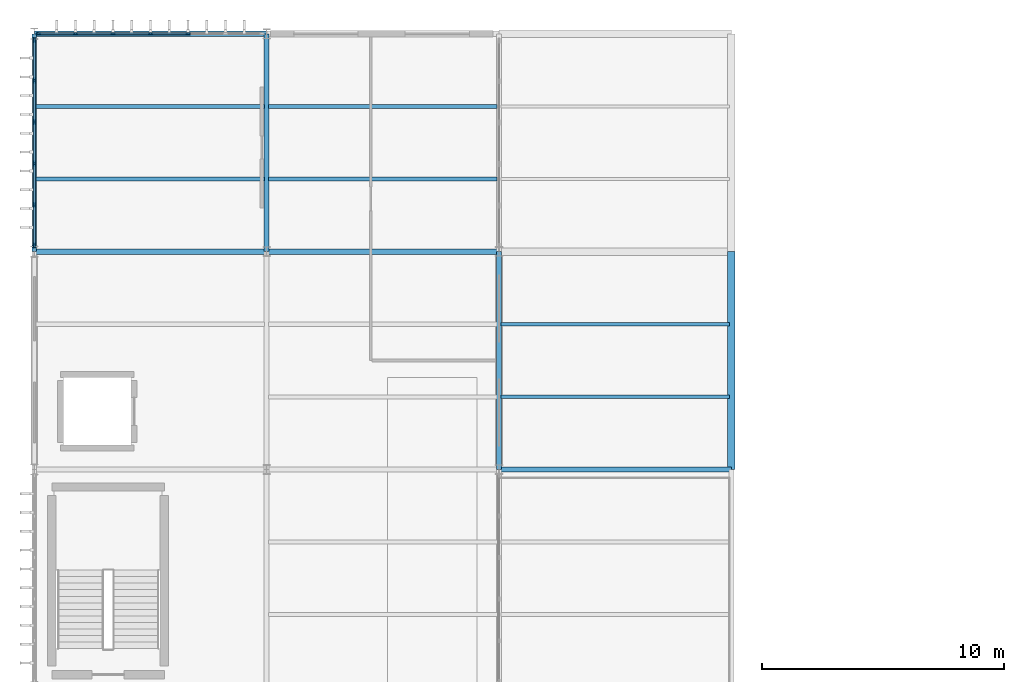
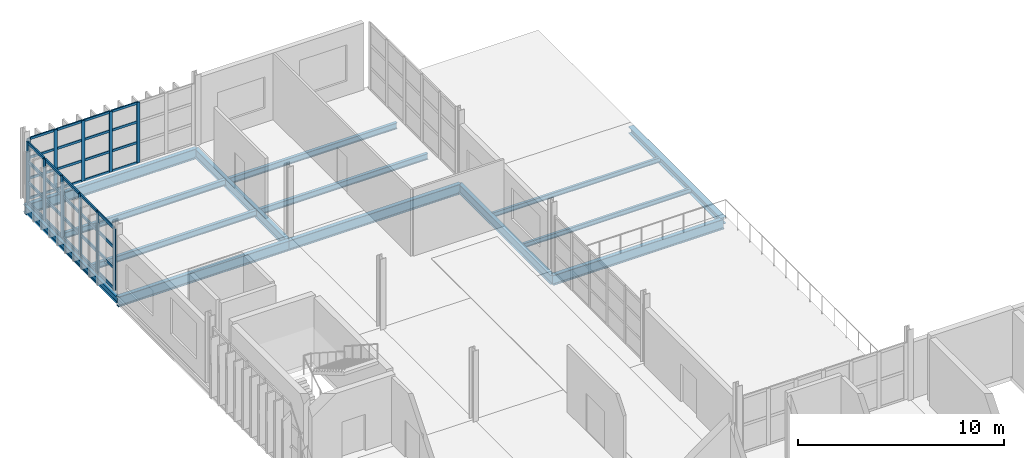
# One storey, part 12 of 38: 47 members, 14 beams, 2 elements without a shape of their own.
"""IFC4 building model written with IfcOpenShell, lengths in metres."""

from ifc_helpers import new_model, si_unit, direction, frame, origin, origin_2d, place, context, subcontext, project, spatial, rectangle, i_section, extrude, material, layer, layer_set, material_profile, profile_set, type_object, element, aggregate, save


model = new_model("IFC4")

# Units and contexts
model_context = context("Model", 3, precision=1e-05, world=origin(), true_north=direction((0.0, 1.0)))
body_context = subcontext(model_context, "Body", "Model", "MODEL_VIEW")
ifc_project = project(units=[si_unit("LENGTHUNIT", "METRE"), si_unit("AREAUNIT", "SQUARE_METRE"), si_unit("VOLUMEUNIT", "CUBIC_METRE"), si_unit("PLANEANGLEUNIT", "RADIAN"), si_unit("MASSUNIT", "GRAM", prefix="KILO")], contexts=[model_context])

# Site, building, storey
site_placement = place(None, origin())
site = spatial("IfcSite", under=ifc_project, at=site_placement, CompositionType="ELEMENT")
building_placement = place(site_placement, origin())
building = spatial("IfcBuilding", under=site, at=building_placement, Name="Zarnetskaya Central Station", CompositionType="ELEMENT")
storey_placement = place(building_placement, frame((0.0, 0.0, 18.60009765625)))
storey = spatial("IfcBuildingStorey", under=building, at=storey_placement, Name="L04", CompositionType="ELEMENT", Elevation=18.60009765625)

# Beams
ifc_material_1 = material(Name="Steel S355", Category="steel")
ifc_material_profile_1 = material_profile(ifc_material_1, i_section(OverallWidth=0.135009765625, OverallDepth=0.27001953125, WebThickness=0.006591796875, FlangeThickness=0.01025390625, FilletRadius=0.014892578125, at=origin_2d()), Name="IPE 270")
ifc_profile_set_1 = profile_set([ifc_material_profile_1], Name="Steel S355")
beam_type_1 = type_object("IfcBeamType", Name="BM-JST-270", PredefinedType="JOIST", material=ifc_profile_set_1)
for number, where, z_axis, x_axis, name in (
    (1, (19.280029296875, 43.199951171875, -0.34521484375), (1.0, 0.0, 0.0), (0.0, 1.0, 0.0), "Secondary floor beam SEC-L04-Z1839-CD-67-1"),
    (2, (19.280029296875, 46.199951171875, -0.34521484375), (1.0, 0.0, 0.0), (0.0, 1.0, 0.0), "Secondary floor beam SEC-L04-Z1839-CD-67-2"),
):
    element("IfcBeam", number, at=place(storey_placement, frame(where, z_axis=z_axis, x_axis=x_axis)), inside=storey, type_object=beam_type_1, Name=name, PredefinedType="JOIST", context=body_context, shape_type="SweptSolid", body=[
        extrude(i_section(OverallWidth=0.135009765625, OverallDepth=0.27001953125, WebThickness=0.006591796875, FlangeThickness=0.01025390625, FilletRadius=0.014892578125, at=origin_2d()), origin(), (0.0, 0.0, 1.0), 9.43994140625),
    ])
ifc_material_profile_2 = material_profile(ifc_material_1, i_section(OverallWidth=0.169921875, OverallDepth=0.360107421875, WebThickness=0.008056640625, FlangeThickness=0.0126953125, FilletRadius=0.01806640625, at=origin_2d()), Name="IPE 360")
ifc_profile_set_2 = profile_set([ifc_material_profile_2], Name="Steel S355")
beam_type_2 = type_object("IfcBeamType", Name="BM-SEC-360", PredefinedType="BEAM", material=ifc_profile_set_2)
for number, where, z_axis, x_axis, name in (
    (3, (0.080078125, 52.199951171875, -0.420166015625), (1.0, 0.0, 0.0), (0.0, 1.0, 0.0), "Secondary floor beam SEC-L04-Z1836-AB-78-1"),
    (4, (0.080078125, 55.199951171875, -0.420166015625), (1.0, 0.0, 0.0), (0.0, 1.0, 0.0), "Secondary floor beam SEC-L04-Z1836-AB-78-2"),
):
    element("IfcBeam", number, at=place(storey_placement, frame(where, z_axis=z_axis, x_axis=x_axis)), inside=storey, type_object=beam_type_2, Name=name, PredefinedType="BEAM", context=body_context, shape_type="SweptSolid", body=[
        extrude(i_section(OverallWidth=0.169921875, OverallDepth=0.360107421875, WebThickness=0.008056640625, FlangeThickness=0.0126953125, FilletRadius=0.01806640625, at=origin_2d()), origin(), (0.0, 0.0, 1.0), 9.43994140625),
    ])
for number, where, z_axis, x_axis, name in (
    (5, (9.679931640625, 52.199951171875, -0.420166015625), (1.0, 0.0, 0.0), (0.0, 1.0, 0.0), "Secondary floor beam SEC-L04-Z1836-BC-78-1"),
    (6, (9.679931640625, 55.199951171875, -0.420166015625), (1.0, 0.0, 0.0), (0.0, 1.0, 0.0), "Secondary floor beam SEC-L04-Z1836-BC-78-2"),
):
    element("IfcBeam", number, at=place(storey_placement, frame(where, z_axis=z_axis, x_axis=x_axis)), inside=storey, type_object=beam_type_2, Name=name, PredefinedType="BEAM", context=body_context, shape_type="SweptSolid", body=[
        extrude(i_section(OverallWidth=0.169921875, OverallDepth=0.360107421875, WebThickness=0.008056640625, FlangeThickness=0.0126953125, FilletRadius=0.01806640625, at=origin_2d()), origin(), (0.0, 0.0, 1.0), 9.440185546875),
    ])
ifc_material_profile_3 = material_profile(ifc_material_1, i_section(OverallWidth=0.179931640625, OverallDepth=0.39990234375, WebThickness=0.008544921875, FlangeThickness=0.013427734375, FilletRadius=0.02099609375, at=origin_2d()), Name="IPE 400")
ifc_profile_set_3 = profile_set([ifc_material_profile_3], Name="Steel S355")
beam_type_3 = type_object("IfcBeamType", Name="BM-SPN-V5", PredefinedType="SPANDREL", material=ifc_profile_set_3)
beam_1_placement = place(storey_placement, frame((0.0, 49.199951171875, -0.440185546875), z_axis=(0.0, 1.0, 0.0), x_axis=(-1.0, 0.0, 0.0)))
element("IfcBeam", 7, at=beam_1_placement, inside=storey, type_object=beam_type_3, Name="Grid girder GY-L04-A-78", PredefinedType="SPANDREL", context=body_context, shape_type="SweptSolid", body=[
    extrude(i_section(OverallWidth=0.179931640625, OverallDepth=0.39990234375, WebThickness=0.008544921875, FlangeThickness=0.013427734375, FilletRadius=0.02099609375, at=origin_2d()), origin(), (0.0, 0.0, 1.0), 9.0),
])

# Curtain wall, members
ifc_material_2 = material(Name="Low-E insulated glass", Category="glass")
ifc_layer_1 = layer(ifc_material_2, 0.159912109375, Name="Low-E insulated glass", Category="glass")
ifc_layer_set_1 = layer_set([ifc_layer_1], Name="Low-E insulated glass")
curtain_wall_type_1 = type_object("IfcCurtainWallType", Name="CW-SYS-06", PredefinedType="USERDEFINED", material=ifc_layer_set_1)
curtain_wall_1_placement = place(storey_placement, origin())
curtain_wall_1 = element("IfcCurtainWall", 8, at=curtain_wall_1_placement, inside=storey, type_object=curtain_wall_type_1, Name="Curtain wall CW-L04-051", ObjectType="CURTAIN WALL", PredefinedType="USERDEFINED")
ifc_material_3 = material(Name="Anodised aluminium", Category="aluminium")
ifc_material_profile_4 = material_profile(ifc_material_3, rectangle(XDim=0.070068359375, YDim=0.179931640625, at=origin_2d()), Name="ALU MULL 70x180")
ifc_profile_set_4 = profile_set([ifc_material_profile_4], Name="Anodised aluminium")
member_type_1 = type_object("IfcMemberType", Name="CW-MULL-180", PredefinedType="MULLION", material=ifc_profile_set_4)
member_1_placement = place(storey_placement, frame((0.18505859375, 58.199951171875, 0.0), z_axis=(0.0, 0.0, 1.0), x_axis=(0.0, 1.0, 0.0)))
member_1 = element("IfcMember", 9, at=member_1_placement, type_object=member_type_1, Name="CW-02 mullion 1", PredefinedType="MULLION", context=body_context, shape_type="SweptSolid", body=[
    extrude(rectangle(XDim=0.070068359375, YDim=0.179931640625, at=origin_2d()), origin(), (0.0, 0.0, 1.0), 3.599853515625),
])
member_2_placement = place(storey_placement, frame((1.699951171875, 58.199951171875, 0.0), z_axis=(0.0, 0.0, 1.0), x_axis=(0.0, 1.0, 0.0)))
member_2 = element("IfcMember", 10, at=member_2_placement, type_object=member_type_1, Name="CW-02 mullion 2", PredefinedType="MULLION", context=body_context, shape_type="SweptSolid", body=[
    extrude(rectangle(XDim=0.070068359375, YDim=0.179931640625, at=origin_2d()), origin(), (0.0, 0.0, 1.0), 3.599853515625),
])
member_3_placement = place(storey_placement, frame((3.25, 58.199951171875, 0.0), z_axis=(0.0, 0.0, 1.0), x_axis=(0.0, 1.0, 0.0)))
member_3 = element("IfcMember", 11, at=member_3_placement, type_object=member_type_1, Name="CW-02 mullion 3", PredefinedType="MULLION", context=body_context, shape_type="SweptSolid", body=[
    extrude(rectangle(XDim=0.070068359375, YDim=0.179931640625, at=origin_2d()), origin(), (0.0, 0.0, 1.0), 3.599853515625),
])
member_4_placement = place(storey_placement, frame((4.800048828125, 58.199951171875, 0.0), z_axis=(0.0, 0.0, 1.0), x_axis=(0.0, 1.0, 0.0)))
member_4 = element("IfcMember", 12, at=member_4_placement, type_object=member_type_1, Name="CW-02 mullion 4", PredefinedType="MULLION", context=body_context, shape_type="SweptSolid", body=[
    extrude(rectangle(XDim=0.070068359375, YDim=0.179931640625, at=origin_2d()), origin(), (0.0, 0.0, 1.0), 3.599853515625),
])
member_5_placement = place(storey_placement, frame((6.35009765625, 58.199951171875, 0.0), z_axis=(0.0, 0.0, 1.0), x_axis=(0.0, 1.0, 0.0)))
member_5 = element("IfcMember", 13, at=member_5_placement, type_object=member_type_1, Name="CW-02 mullion 5", PredefinedType="MULLION", context=body_context, shape_type="SweptSolid", body=[
    extrude(rectangle(XDim=0.070068359375, YDim=0.179931640625, at=origin_2d()), origin(), (0.0, 0.0, 1.0), 3.599853515625),
])

ifc_layer_2 = layer(ifc_material_2, 0.1640625, Name="Low-E insulated glass", Category="glass")
ifc_layer_set_2 = layer_set([ifc_layer_2], Name="Low-E insulated glass")
curtain_wall_type_2 = type_object("IfcCurtainWallType", Name="CW-SYS-12", PredefinedType="USERDEFINED", material=ifc_layer_set_2)
curtain_wall_2_placement = place(storey_placement, origin())
curtain_wall_2 = element("IfcCurtainWall", 14, at=curtain_wall_2_placement, inside=storey, type_object=curtain_wall_type_2, Name="Curtain wall CW-L04-050", ObjectType="CURTAIN WALL", PredefinedType="USERDEFINED")
ifc_material_profile_5 = material_profile(ifc_material_3, rectangle(XDim=0.080078125, YDim=0.219970703125, at=origin_2d()), Name="ALU MULL 80x220")
ifc_profile_set_5 = profile_set([ifc_material_profile_5], Name="Anodised aluminium")
member_type_2 = type_object("IfcMemberType", Name="CW-MULL-220", PredefinedType="MULLION", material=ifc_profile_set_5)
member_6_placement = place(storey_placement, frame((0.0, 49.465087890625, 0.0), z_axis=(0.0, 0.0, 1.0), x_axis=(-1.0, 0.0, 0.0)))
member_6 = element("IfcMember", 15, at=member_6_placement, type_object=member_type_2, Name="CW-18 mullion 1", PredefinedType="MULLION", context=body_context, shape_type="SweptSolid", body=[
    extrude(rectangle(XDim=0.080078125, YDim=0.219970703125, at=origin_2d()), origin(), (0.0, 0.0, 1.0), 3.639892578125),
])
member_7_placement = place(storey_placement, frame((0.0, 51.135009765625, 0.0), z_axis=(0.0, 0.0, 1.0), x_axis=(-1.0, 0.0, 0.0)))
member_7 = element("IfcMember", 16, at=member_7_placement, type_object=member_type_2, Name="CW-18 mullion 2", PredefinedType="MULLION", context=body_context, shape_type="SweptSolid", body=[
    extrude(rectangle(XDim=0.080078125, YDim=0.219970703125, at=origin_2d()), origin(), (0.0, 0.0, 1.0), 3.639892578125),
])
member_8_placement = place(storey_placement, frame((0.0, 52.844970703125, 0.0), z_axis=(0.0, 0.0, 1.0), x_axis=(-1.0, 0.0, 0.0)))
member_8 = element("IfcMember", 17, at=member_8_placement, type_object=member_type_2, Name="CW-18 mullion 3", PredefinedType="MULLION", context=body_context, shape_type="SweptSolid", body=[
    extrude(rectangle(XDim=0.080078125, YDim=0.219970703125, at=origin_2d()), origin(), (0.0, 0.0, 1.0), 3.639892578125),
])
member_9_placement = place(storey_placement, frame((0.0, 54.554931640625, 0.0), z_axis=(0.0, 0.0, 1.0), x_axis=(-1.0, 0.0, 0.0)))
member_9 = element("IfcMember", 18, at=member_9_placement, type_object=member_type_2, Name="CW-18 mullion 4", PredefinedType="MULLION", context=body_context, shape_type="SweptSolid", body=[
    extrude(rectangle(XDim=0.080078125, YDim=0.219970703125, at=origin_2d()), origin(), (0.0, 0.0, 1.0), 3.639892578125),
])
member_10_placement = place(storey_placement, frame((0.0, 56.264892578125, 0.0), z_axis=(0.0, 0.0, 1.0), x_axis=(-1.0, 0.0, 0.0)))
member_10 = element("IfcMember", 19, at=member_10_placement, type_object=member_type_2, Name="CW-18 mullion 5", PredefinedType="MULLION", context=body_context, shape_type="SweptSolid", body=[
    extrude(rectangle(XDim=0.080078125, YDim=0.219970703125, at=origin_2d()), origin(), (0.0, 0.0, 1.0), 3.639892578125),
])
member_11_placement = place(storey_placement, frame((0.0, 57.93505859375, 0.0), z_axis=(0.0, 0.0, 1.0), x_axis=(-1.0, 0.0, 0.0)))
member_11 = element("IfcMember", 20, at=member_11_placement, type_object=member_type_2, Name="CW-18 mullion 6", PredefinedType="MULLION", context=body_context, shape_type="SweptSolid", body=[
    extrude(rectangle(XDim=0.080078125, YDim=0.219970703125, at=origin_2d()), origin(), (0.0, 0.0, 1.0), 3.639892578125),
])

# Member
ifc_material_profile_6 = material_profile(ifc_material_3, rectangle(XDim=0.070068359375, YDim=0.139892578125, at=origin_2d()), Name="ALU TRAN 70x140")
ifc_profile_set_6 = profile_set([ifc_material_profile_6], Name="Anodised aluminium")
member_type_3 = type_object("IfcMemberType", Name="CW-TRAN-140", PredefinedType="USERDEFINED", material=ifc_profile_set_6)
member_12_placement = place(storey_placement, frame((0.219970703125, 58.199951171875, 0.034912109375), z_axis=(1.0, 0.0, 0.0), x_axis=(0.0, 1.0, 0.0)))
member_12 = element("IfcMember", 21, at=member_12_placement, type_object=member_type_3, Name="CW-02 transom 1.1", ObjectType="TRANSOM", PredefinedType="USERDEFINED", context=body_context, shape_type="SweptSolid", body=[
    extrude(rectangle(XDim=0.070068359375, YDim=0.139892578125, at=origin_2d()), origin(), (0.0, 0.0, 1.0), 1.445068359375),
])

member_13_placement = place(storey_placement, frame((0.219970703125, 58.199951171875, 1.223876953125), z_axis=(1.0, 0.0, 0.0), x_axis=(0.0, 1.0, 0.0)))
member_13 = element("IfcMember", 22, at=member_13_placement, type_object=member_type_3, Name="CW-02 transom 1.2", ObjectType="TRANSOM", PredefinedType="USERDEFINED", context=body_context, shape_type="SweptSolid", body=[
    extrude(rectangle(XDim=0.070068359375, YDim=0.139892578125, at=origin_2d()), origin(), (0.0, 0.0, 1.0), 1.445068359375),
])

member_14_placement = place(storey_placement, frame((0.219970703125, 58.199951171875, 2.447998046875), z_axis=(1.0, 0.0, 0.0), x_axis=(0.0, 1.0, 0.0)))
member_14 = element("IfcMember", 23, at=member_14_placement, type_object=member_type_3, Name="CW-02 transom 1.3", ObjectType="TRANSOM", PredefinedType="USERDEFINED", context=body_context, shape_type="SweptSolid", body=[
    extrude(rectangle(XDim=0.070068359375, YDim=0.139892578125, at=origin_2d()), origin(), (0.0, 0.0, 1.0), 1.445068359375),
])

member_15_placement = place(storey_placement, frame((0.219970703125, 58.199951171875, 3.56494140625), z_axis=(1.0, 0.0, 0.0), x_axis=(0.0, 1.0, 0.0)))
member_15 = element("IfcMember", 24, at=member_15_placement, type_object=member_type_3, Name="CW-02 transom 1.4", ObjectType="TRANSOM", PredefinedType="USERDEFINED", context=body_context, shape_type="SweptSolid", body=[
    extrude(rectangle(XDim=0.070068359375, YDim=0.139892578125, at=origin_2d()), origin(), (0.0, 0.0, 1.0), 1.445068359375),
])

member_16_placement = place(storey_placement, frame((1.735107421875, 58.199951171875, 0.034912109375), z_axis=(1.0, 0.0, 0.0), x_axis=(0.0, 1.0, 0.0)))
member_16 = element("IfcMember", 25, at=member_16_placement, type_object=member_type_3, Name="CW-02 transom 2.1", ObjectType="TRANSOM", PredefinedType="USERDEFINED", context=body_context, shape_type="SweptSolid", body=[
    extrude(rectangle(XDim=0.070068359375, YDim=0.139892578125, at=origin_2d()), origin(), (0.0, 0.0, 1.0), 1.47998046875),
])

member_17_placement = place(storey_placement, frame((1.735107421875, 58.199951171875, 1.223876953125), z_axis=(1.0, 0.0, 0.0), x_axis=(0.0, 1.0, 0.0)))
member_17 = element("IfcMember", 26, at=member_17_placement, type_object=member_type_3, Name="CW-02 transom 2.2", ObjectType="TRANSOM", PredefinedType="USERDEFINED", context=body_context, shape_type="SweptSolid", body=[
    extrude(rectangle(XDim=0.070068359375, YDim=0.139892578125, at=origin_2d()), origin(), (0.0, 0.0, 1.0), 1.47998046875),
])

member_18_placement = place(storey_placement, frame((1.735107421875, 58.199951171875, 2.447998046875), z_axis=(1.0, 0.0, 0.0), x_axis=(0.0, 1.0, 0.0)))
member_18 = element("IfcMember", 27, at=member_18_placement, type_object=member_type_3, Name="CW-02 transom 2.3", ObjectType="TRANSOM", PredefinedType="USERDEFINED", context=body_context, shape_type="SweptSolid", body=[
    extrude(rectangle(XDim=0.070068359375, YDim=0.139892578125, at=origin_2d()), origin(), (0.0, 0.0, 1.0), 1.47998046875),
])

member_19_placement = place(storey_placement, frame((1.735107421875, 58.199951171875, 3.56494140625), z_axis=(1.0, 0.0, 0.0), x_axis=(0.0, 1.0, 0.0)))
member_19 = element("IfcMember", 28, at=member_19_placement, type_object=member_type_3, Name="CW-02 transom 2.4", ObjectType="TRANSOM", PredefinedType="USERDEFINED", context=body_context, shape_type="SweptSolid", body=[
    extrude(rectangle(XDim=0.070068359375, YDim=0.139892578125, at=origin_2d()), origin(), (0.0, 0.0, 1.0), 1.47998046875),
])

member_20_placement = place(storey_placement, frame((3.284912109375, 58.199951171875, 0.034912109375), z_axis=(1.0, 0.0, 0.0), x_axis=(0.0, 1.0, 0.0)))
member_20 = element("IfcMember", 29, at=member_20_placement, type_object=member_type_3, Name="CW-02 transom 3.1", ObjectType="TRANSOM", PredefinedType="USERDEFINED", context=body_context, shape_type="SweptSolid", body=[
    extrude(rectangle(XDim=0.070068359375, YDim=0.139892578125, at=origin_2d()), origin(), (0.0, 0.0, 1.0), 1.47998046875),
])

member_21_placement = place(storey_placement, frame((3.284912109375, 58.199951171875, 1.223876953125), z_axis=(1.0, 0.0, 0.0), x_axis=(0.0, 1.0, 0.0)))
member_21 = element("IfcMember", 30, at=member_21_placement, type_object=member_type_3, Name="CW-02 transom 3.2", ObjectType="TRANSOM", PredefinedType="USERDEFINED", context=body_context, shape_type="SweptSolid", body=[
    extrude(rectangle(XDim=0.070068359375, YDim=0.139892578125, at=origin_2d()), origin(), (0.0, 0.0, 1.0), 1.47998046875),
])

member_22_placement = place(storey_placement, frame((3.284912109375, 58.199951171875, 2.447998046875), z_axis=(1.0, 0.0, 0.0), x_axis=(0.0, 1.0, 0.0)))
member_22 = element("IfcMember", 31, at=member_22_placement, type_object=member_type_3, Name="CW-02 transom 3.3", ObjectType="TRANSOM", PredefinedType="USERDEFINED", context=body_context, shape_type="SweptSolid", body=[
    extrude(rectangle(XDim=0.070068359375, YDim=0.139892578125, at=origin_2d()), origin(), (0.0, 0.0, 1.0), 1.47998046875),
])

member_23_placement = place(storey_placement, frame((3.284912109375, 58.199951171875, 3.56494140625), z_axis=(1.0, 0.0, 0.0), x_axis=(0.0, 1.0, 0.0)))
member_23 = element("IfcMember", 32, at=member_23_placement, type_object=member_type_3, Name="CW-02 transom 3.4", ObjectType="TRANSOM", PredefinedType="USERDEFINED", context=body_context, shape_type="SweptSolid", body=[
    extrude(rectangle(XDim=0.070068359375, YDim=0.139892578125, at=origin_2d()), origin(), (0.0, 0.0, 1.0), 1.47998046875),
])

member_24_placement = place(storey_placement, frame((4.8349609375, 58.199951171875, 0.034912109375), z_axis=(1.0, 0.0, 0.0), x_axis=(0.0, 1.0, 0.0)))
member_24 = element("IfcMember", 33, at=member_24_placement, type_object=member_type_3, Name="CW-02 transom 4.1", ObjectType="TRANSOM", PredefinedType="USERDEFINED", context=body_context, shape_type="SweptSolid", body=[
    extrude(rectangle(XDim=0.070068359375, YDim=0.139892578125, at=origin_2d()), origin(), (0.0, 0.0, 1.0), 1.47998046875),
])

member_25_placement = place(storey_placement, frame((4.8349609375, 58.199951171875, 1.223876953125), z_axis=(1.0, 0.0, 0.0), x_axis=(0.0, 1.0, 0.0)))
member_25 = element("IfcMember", 34, at=member_25_placement, type_object=member_type_3, Name="CW-02 transom 4.2", ObjectType="TRANSOM", PredefinedType="USERDEFINED", context=body_context, shape_type="SweptSolid", body=[
    extrude(rectangle(XDim=0.070068359375, YDim=0.139892578125, at=origin_2d()), origin(), (0.0, 0.0, 1.0), 1.47998046875),
])

member_26_placement = place(storey_placement, frame((4.8349609375, 58.199951171875, 2.447998046875), z_axis=(1.0, 0.0, 0.0), x_axis=(0.0, 1.0, 0.0)))
member_26 = element("IfcMember", 35, at=member_26_placement, type_object=member_type_3, Name="CW-02 transom 4.3", ObjectType="TRANSOM", PredefinedType="USERDEFINED", context=body_context, shape_type="SweptSolid", body=[
    extrude(rectangle(XDim=0.070068359375, YDim=0.139892578125, at=origin_2d()), origin(), (0.0, 0.0, 1.0), 1.47998046875),
])

member_27_placement = place(storey_placement, frame((4.8349609375, 58.199951171875, 3.56494140625), z_axis=(1.0, 0.0, 0.0), x_axis=(0.0, 1.0, 0.0)))
member_27 = element("IfcMember", 36, at=member_27_placement, type_object=member_type_3, Name="CW-02 transom 4.4", ObjectType="TRANSOM", PredefinedType="USERDEFINED", context=body_context, shape_type="SweptSolid", body=[
    extrude(rectangle(XDim=0.070068359375, YDim=0.139892578125, at=origin_2d()), origin(), (0.0, 0.0, 1.0), 1.47998046875),
])

aggregate(curtain_wall_1, [member_1, member_2, member_3, member_4, member_5, member_12, member_13, member_14, member_15, member_16, member_17, member_18, member_19, member_20, member_21, member_22, member_23, member_24, member_25, member_26, member_27])

ifc_material_profile_7 = material_profile(ifc_material_3, rectangle(XDim=0.080078125, YDim=0.159912109375, at=origin_2d()), Name="ALU TRAN 80x160")
ifc_profile_set_7 = profile_set([ifc_material_profile_7], Name="Anodised aluminium")
member_type_4 = type_object("IfcMemberType", Name="CW-TRAN-160", PredefinedType="USERDEFINED", material=ifc_profile_set_7)
member_28_placement = place(storey_placement, frame((0.0, 49.5048828125, 0.039794921875), z_axis=(0.0, 1.0, 0.0), x_axis=(-1.0, 0.0, 0.0)))
member_28 = element("IfcMember", 37, at=member_28_placement, type_object=member_type_4, Name="CW-18 transom 1.1", ObjectType="TRANSOM", PredefinedType="USERDEFINED", context=body_context, shape_type="SweptSolid", body=[
    extrude(rectangle(XDim=0.080078125, YDim=0.159912109375, at=origin_2d()), origin(), (0.0, 0.0, 1.0), 1.590087890625),
])

member_29_placement = place(storey_placement, frame((0.0, 49.5048828125, 1.23779296875), z_axis=(0.0, 1.0, 0.0), x_axis=(-1.0, 0.0, 0.0)))
member_29 = element("IfcMember", 38, at=member_29_placement, type_object=member_type_4, Name="CW-18 transom 1.2", ObjectType="TRANSOM", PredefinedType="USERDEFINED", context=body_context, shape_type="SweptSolid", body=[
    extrude(rectangle(XDim=0.080078125, YDim=0.159912109375, at=origin_2d()), origin(), (0.0, 0.0, 1.0), 1.590087890625),
])

member_30_placement = place(storey_placement, frame((0.0, 49.5048828125, 2.474853515625), z_axis=(0.0, 1.0, 0.0), x_axis=(-1.0, 0.0, 0.0)))
member_30 = element("IfcMember", 39, at=member_30_placement, type_object=member_type_4, Name="CW-18 transom 1.3", ObjectType="TRANSOM", PredefinedType="USERDEFINED", context=body_context, shape_type="SweptSolid", body=[
    extrude(rectangle(XDim=0.080078125, YDim=0.159912109375, at=origin_2d()), origin(), (0.0, 0.0, 1.0), 1.590087890625),
])

member_31_placement = place(storey_placement, frame((0.0, 49.5048828125, 3.599853515625), z_axis=(0.0, 1.0, 0.0), x_axis=(-1.0, 0.0, 0.0)))
member_31 = element("IfcMember", 40, at=member_31_placement, type_object=member_type_4, Name="CW-18 transom 1.4", ObjectType="TRANSOM", PredefinedType="USERDEFINED", context=body_context, shape_type="SweptSolid", body=[
    extrude(rectangle(XDim=0.080078125, YDim=0.159912109375, at=origin_2d()), origin(), (0.0, 0.0, 1.0), 1.590087890625),
])

member_32_placement = place(storey_placement, frame((0.0, 51.175048828125, 0.039794921875), z_axis=(0.0, 1.0, 0.0), x_axis=(-1.0, 0.0, 0.0)))
member_32 = element("IfcMember", 41, at=member_32_placement, type_object=member_type_4, Name="CW-18 transom 2.1", ObjectType="TRANSOM", PredefinedType="USERDEFINED", context=body_context, shape_type="SweptSolid", body=[
    extrude(rectangle(XDim=0.080078125, YDim=0.159912109375, at=origin_2d()), origin(), (0.0, 0.0, 1.0), 1.6298828125),
])

member_33_placement = place(storey_placement, frame((0.0, 51.175048828125, 1.23779296875), z_axis=(0.0, 1.0, 0.0), x_axis=(-1.0, 0.0, 0.0)))
member_33 = element("IfcMember", 42, at=member_33_placement, type_object=member_type_4, Name="CW-18 transom 2.2", ObjectType="TRANSOM", PredefinedType="USERDEFINED", context=body_context, shape_type="SweptSolid", body=[
    extrude(rectangle(XDim=0.080078125, YDim=0.159912109375, at=origin_2d()), origin(), (0.0, 0.0, 1.0), 1.6298828125),
])

member_34_placement = place(storey_placement, frame((0.0, 51.175048828125, 2.474853515625), z_axis=(0.0, 1.0, 0.0), x_axis=(-1.0, 0.0, 0.0)))
member_34 = element("IfcMember", 43, at=member_34_placement, type_object=member_type_4, Name="CW-18 transom 2.3", ObjectType="TRANSOM", PredefinedType="USERDEFINED", context=body_context, shape_type="SweptSolid", body=[
    extrude(rectangle(XDim=0.080078125, YDim=0.159912109375, at=origin_2d()), origin(), (0.0, 0.0, 1.0), 1.6298828125),
])

member_35_placement = place(storey_placement, frame((0.0, 51.175048828125, 3.599853515625), z_axis=(0.0, 1.0, 0.0), x_axis=(-1.0, 0.0, 0.0)))
member_35 = element("IfcMember", 44, at=member_35_placement, type_object=member_type_4, Name="CW-18 transom 2.4", ObjectType="TRANSOM", PredefinedType="USERDEFINED", context=body_context, shape_type="SweptSolid", body=[
    extrude(rectangle(XDim=0.080078125, YDim=0.159912109375, at=origin_2d()), origin(), (0.0, 0.0, 1.0), 1.6298828125),
])

member_36_placement = place(storey_placement, frame((0.0, 52.885009765625, 0.039794921875), z_axis=(0.0, 1.0, 0.0), x_axis=(-1.0, 0.0, 0.0)))
member_36 = element("IfcMember", 45, at=member_36_placement, type_object=member_type_4, Name="CW-18 transom 3.1", ObjectType="TRANSOM", PredefinedType="USERDEFINED", context=body_context, shape_type="SweptSolid", body=[
    extrude(rectangle(XDim=0.080078125, YDim=0.159912109375, at=origin_2d()), origin(), (0.0, 0.0, 1.0), 1.6298828125),
])

member_37_placement = place(storey_placement, frame((0.0, 52.885009765625, 1.23779296875), z_axis=(0.0, 1.0, 0.0), x_axis=(-1.0, 0.0, 0.0)))
member_37 = element("IfcMember", 46, at=member_37_placement, type_object=member_type_4, Name="CW-18 transom 3.2", ObjectType="TRANSOM", PredefinedType="USERDEFINED", context=body_context, shape_type="SweptSolid", body=[
    extrude(rectangle(XDim=0.080078125, YDim=0.159912109375, at=origin_2d()), origin(), (0.0, 0.0, 1.0), 1.6298828125),
])

member_38_placement = place(storey_placement, frame((0.0, 52.885009765625, 2.474853515625), z_axis=(0.0, 1.0, 0.0), x_axis=(-1.0, 0.0, 0.0)))
member_38 = element("IfcMember", 47, at=member_38_placement, type_object=member_type_4, Name="CW-18 transom 3.3", ObjectType="TRANSOM", PredefinedType="USERDEFINED", context=body_context, shape_type="SweptSolid", body=[
    extrude(rectangle(XDim=0.080078125, YDim=0.159912109375, at=origin_2d()), origin(), (0.0, 0.0, 1.0), 1.6298828125),
])

member_39_placement = place(storey_placement, frame((0.0, 52.885009765625, 3.599853515625), z_axis=(0.0, 1.0, 0.0), x_axis=(-1.0, 0.0, 0.0)))
member_39 = element("IfcMember", 48, at=member_39_placement, type_object=member_type_4, Name="CW-18 transom 3.4", ObjectType="TRANSOM", PredefinedType="USERDEFINED", context=body_context, shape_type="SweptSolid", body=[
    extrude(rectangle(XDim=0.080078125, YDim=0.159912109375, at=origin_2d()), origin(), (0.0, 0.0, 1.0), 1.6298828125),
])

member_40_placement = place(storey_placement, frame((0.0, 54.594970703125, 0.039794921875), z_axis=(0.0, 1.0, 0.0), x_axis=(-1.0, 0.0, 0.0)))
member_40 = element("IfcMember", 49, at=member_40_placement, type_object=member_type_4, Name="CW-18 transom 4.1", ObjectType="TRANSOM", PredefinedType="USERDEFINED", context=body_context, shape_type="SweptSolid", body=[
    extrude(rectangle(XDim=0.080078125, YDim=0.159912109375, at=origin_2d()), origin(), (0.0, 0.0, 1.0), 1.630126953125),
])

member_41_placement = place(storey_placement, frame((0.0, 54.594970703125, 1.23779296875), z_axis=(0.0, 1.0, 0.0), x_axis=(-1.0, 0.0, 0.0)))
member_41 = element("IfcMember", 50, at=member_41_placement, type_object=member_type_4, Name="CW-18 transom 4.2", ObjectType="TRANSOM", PredefinedType="USERDEFINED", context=body_context, shape_type="SweptSolid", body=[
    extrude(rectangle(XDim=0.080078125, YDim=0.159912109375, at=origin_2d()), origin(), (0.0, 0.0, 1.0), 1.630126953125),
])

member_42_placement = place(storey_placement, frame((0.0, 54.594970703125, 2.474853515625), z_axis=(0.0, 1.0, 0.0), x_axis=(-1.0, 0.0, 0.0)))
member_42 = element("IfcMember", 51, at=member_42_placement, type_object=member_type_4, Name="CW-18 transom 4.3", ObjectType="TRANSOM", PredefinedType="USERDEFINED", context=body_context, shape_type="SweptSolid", body=[
    extrude(rectangle(XDim=0.080078125, YDim=0.159912109375, at=origin_2d()), origin(), (0.0, 0.0, 1.0), 1.630126953125),
])

member_43_placement = place(storey_placement, frame((0.0, 54.594970703125, 3.599853515625), z_axis=(0.0, 1.0, 0.0), x_axis=(-1.0, 0.0, 0.0)))
member_43 = element("IfcMember", 52, at=member_43_placement, type_object=member_type_4, Name="CW-18 transom 4.4", ObjectType="TRANSOM", PredefinedType="USERDEFINED", context=body_context, shape_type="SweptSolid", body=[
    extrude(rectangle(XDim=0.080078125, YDim=0.159912109375, at=origin_2d()), origin(), (0.0, 0.0, 1.0), 1.630126953125),
])

member_44_placement = place(storey_placement, frame((0.0, 56.304931640625, 0.039794921875), z_axis=(0.0, 1.0, 0.0), x_axis=(-1.0, 0.0, 0.0)))
member_44 = element("IfcMember", 53, at=member_44_placement, type_object=member_type_4, Name="CW-18 transom 5.1", ObjectType="TRANSOM", PredefinedType="USERDEFINED", context=body_context, shape_type="SweptSolid", body=[
    extrude(rectangle(XDim=0.080078125, YDim=0.159912109375, at=origin_2d()), origin(), (0.0, 0.0, 1.0), 1.590087890625),
])

member_45_placement = place(storey_placement, frame((0.0, 56.304931640625, 1.23779296875), z_axis=(0.0, 1.0, 0.0), x_axis=(-1.0, 0.0, 0.0)))
member_45 = element("IfcMember", 54, at=member_45_placement, type_object=member_type_4, Name="CW-18 transom 5.2", ObjectType="TRANSOM", PredefinedType="USERDEFINED", context=body_context, shape_type="SweptSolid", body=[
    extrude(rectangle(XDim=0.080078125, YDim=0.159912109375, at=origin_2d()), origin(), (0.0, 0.0, 1.0), 1.590087890625),
])

member_46_placement = place(storey_placement, frame((0.0, 56.304931640625, 2.474853515625), z_axis=(0.0, 1.0, 0.0), x_axis=(-1.0, 0.0, 0.0)))
member_46 = element("IfcMember", 55, at=member_46_placement, type_object=member_type_4, Name="CW-18 transom 5.3", ObjectType="TRANSOM", PredefinedType="USERDEFINED", context=body_context, shape_type="SweptSolid", body=[
    extrude(rectangle(XDim=0.080078125, YDim=0.159912109375, at=origin_2d()), origin(), (0.0, 0.0, 1.0), 1.590087890625),
])

member_47_placement = place(storey_placement, frame((0.0, 56.304931640625, 3.599853515625), z_axis=(0.0, 1.0, 0.0), x_axis=(-1.0, 0.0, 0.0)))
member_47 = element("IfcMember", 56, at=member_47_placement, type_object=member_type_4, Name="CW-18 transom 5.4", ObjectType="TRANSOM", PredefinedType="USERDEFINED", context=body_context, shape_type="SweptSolid", body=[
    extrude(rectangle(XDim=0.080078125, YDim=0.159912109375, at=origin_2d()), origin(), (0.0, 0.0, 1.0), 1.590087890625),
])

aggregate(curtain_wall_2, [member_6, member_7, member_8, member_9, member_10, member_11, member_28, member_29, member_30, member_31, member_32, member_33, member_34, member_35, member_36, member_37, member_38, member_39, member_40, member_41, member_42, member_43, member_44, member_45, member_46, member_47])

# Beams
ifc_material_profile_8 = material_profile(ifc_material_1, i_section(OverallWidth=0.2099609375, OverallDepth=0.550048828125, WebThickness=0.010986328125, FlangeThickness=0.01708984375, FilletRadius=0.02392578125, at=origin_2d()), Name="IPE 550")
ifc_profile_set_8 = profile_set([ifc_material_profile_8], Name="Steel S355")
beam_type_4 = type_object("IfcBeamType", Name="GD-FLR-550", PredefinedType="USERDEFINED", material=ifc_profile_set_8)
for number, where, z_axis, x_axis, name in (
    (57, (9.60009765625, 49.199951171875, -0.51513671875), (0.0, 1.0, 0.0), (-1.0, 0.0, 0.0), "Grid girder GY-L04-B-78"),
    (58, (19.199951171875, 40.199951171875, -0.51513671875), (0.0, 1.0, 0.0), (-1.0, 0.0, 0.0), "Grid girder GY-L04-C-67"),
):
    element("IfcBeam", number, at=place(storey_placement, frame(where, z_axis=z_axis, x_axis=x_axis)), inside=storey, type_object=beam_type_4, Name=name, ObjectType="GIRDER", PredefinedType="USERDEFINED", context=body_context, shape_type="SweptSolid", body=[
        extrude(i_section(OverallWidth=0.2099609375, OverallDepth=0.550048828125, WebThickness=0.010986328125, FlangeThickness=0.01708984375, FilletRadius=0.02392578125, at=origin_2d()), origin(), (0.0, 0.0, 1.0), 9.0),
    ])
ifc_material_profile_9 = material_profile(ifc_material_1, i_section(OverallWidth=0.219970703125, OverallDepth=0.60009765625, WebThickness=0.011962890625, FlangeThickness=0.01904296875, FilletRadius=0.02392578125, at=origin_2d()), Name="IPE 600")
ifc_profile_set_9 = profile_set([ifc_material_profile_9], Name="Steel S355")
beam_type_5 = type_object("IfcBeamType", Name="GD-FLR-600", PredefinedType="USERDEFINED", material=ifc_profile_set_9)
for number, where, z_axis, x_axis, name in (
    (59, (0.0, 49.199951171875, -0.5400390625), (1.0, 0.0, 0.0), (0.0, 1.0, 0.0), "Grid girder GX-L04-7-AB"),
    (60, (0.0, 58.199951171875, -0.5400390625), (1.0, 0.0, 0.0), (0.0, 1.0, 0.0), "Grid girder GX-L04-8-AB"),
):
    element("IfcBeam", number, at=place(storey_placement, frame(where, z_axis=z_axis, x_axis=x_axis)), inside=storey, type_object=beam_type_5, Name=name, ObjectType="GIRDER", PredefinedType="USERDEFINED", context=body_context, shape_type="SweptSolid", body=[
        extrude(i_section(OverallWidth=0.219970703125, OverallDepth=0.60009765625, WebThickness=0.011962890625, FlangeThickness=0.01904296875, FilletRadius=0.02392578125, at=origin_2d()), origin(), (0.0, 0.0, 1.0), 9.60009765625),
    ])
beam_2_placement = place(storey_placement, frame((9.60009765625, 49.199951171875, -0.5400390625), z_axis=(1.0, 0.0, 0.0), x_axis=(0.0, 1.0, 0.0)))
element("IfcBeam", 61, at=beam_2_placement, inside=storey, type_object=beam_type_5, Name="Grid girder GX-L04-7-BC", ObjectType="GIRDER", PredefinedType="USERDEFINED", context=body_context, shape_type="SweptSolid", body=[
    extrude(i_section(OverallWidth=0.219970703125, OverallDepth=0.60009765625, WebThickness=0.011962890625, FlangeThickness=0.01904296875, FilletRadius=0.02392578125, at=origin_2d()), origin(), (0.0, 0.0, 1.0), 9.599853515625),
])
beam_3_placement = place(storey_placement, frame((19.199951171875, 40.199951171875, -0.52001953125), z_axis=(1.0, 0.0, 0.0), x_axis=(0.0, 1.0, 0.0)))
element("IfcBeam", 62, at=beam_3_placement, inside=storey, type_object=beam_type_5, Name="Grid girder GX-L04-6-CD", ObjectType="GIRDER", PredefinedType="USERDEFINED", context=body_context, shape_type="SweptSolid", body=[
    extrude(i_section(OverallWidth=0.219970703125, OverallDepth=0.60009765625, WebThickness=0.011962890625, FlangeThickness=0.01904296875, FilletRadius=0.02392578125, at=origin_2d()), origin(), (0.0, 0.0, 1.0), 9.60009765625),
])
ifc_material_profile_10 = material_profile(ifc_material_1, i_section(OverallWidth=0.300048828125, OverallDepth=0.389892578125, WebThickness=0.010986328125, FlangeThickness=0.01904296875, FilletRadius=0.027099609375, at=origin_2d()), Name="HEA 400")
ifc_profile_set_10 = profile_set([ifc_material_profile_10], Name="Steel S355")
beam_type_6 = type_object("IfcBeamType", Name="GD-ROOF-400", PredefinedType="USERDEFINED", material=ifc_profile_set_10)
beam_4_placement = place(storey_placement, frame((28.800048828125, 40.199951171875, -0.405029296875), z_axis=(0.0, 1.0, 0.0), x_axis=(-1.0, 0.0, 0.0)))
element("IfcBeam", 63, at=beam_4_placement, inside=storey, type_object=beam_type_6, Name="Grid girder GY-L04-D-67", ObjectType="GIRDER", PredefinedType="USERDEFINED", context=body_context, shape_type="SweptSolid", body=[
    extrude(i_section(OverallWidth=0.300048828125, OverallDepth=0.389892578125, WebThickness=0.010986328125, FlangeThickness=0.01904296875, FilletRadius=0.027099609375, at=origin_2d()), origin(), (0.0, 0.0, 1.0), 9.0),
])

save(model, "model.ifc")
